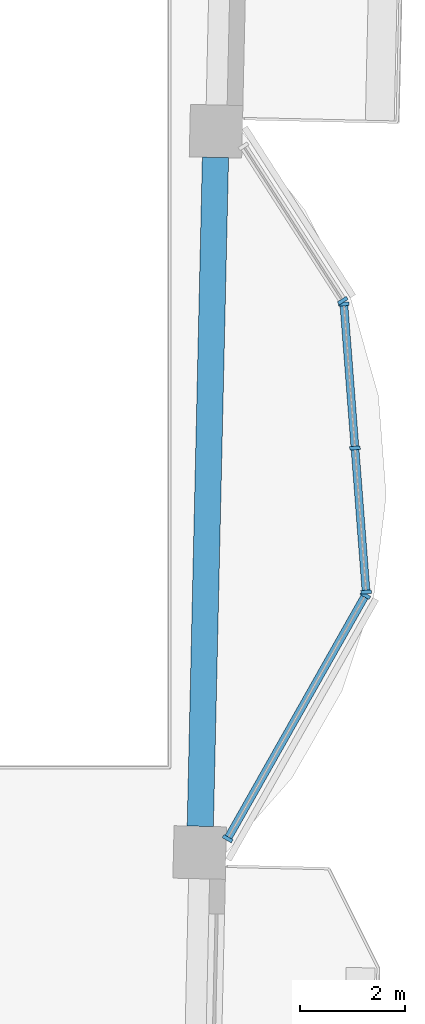
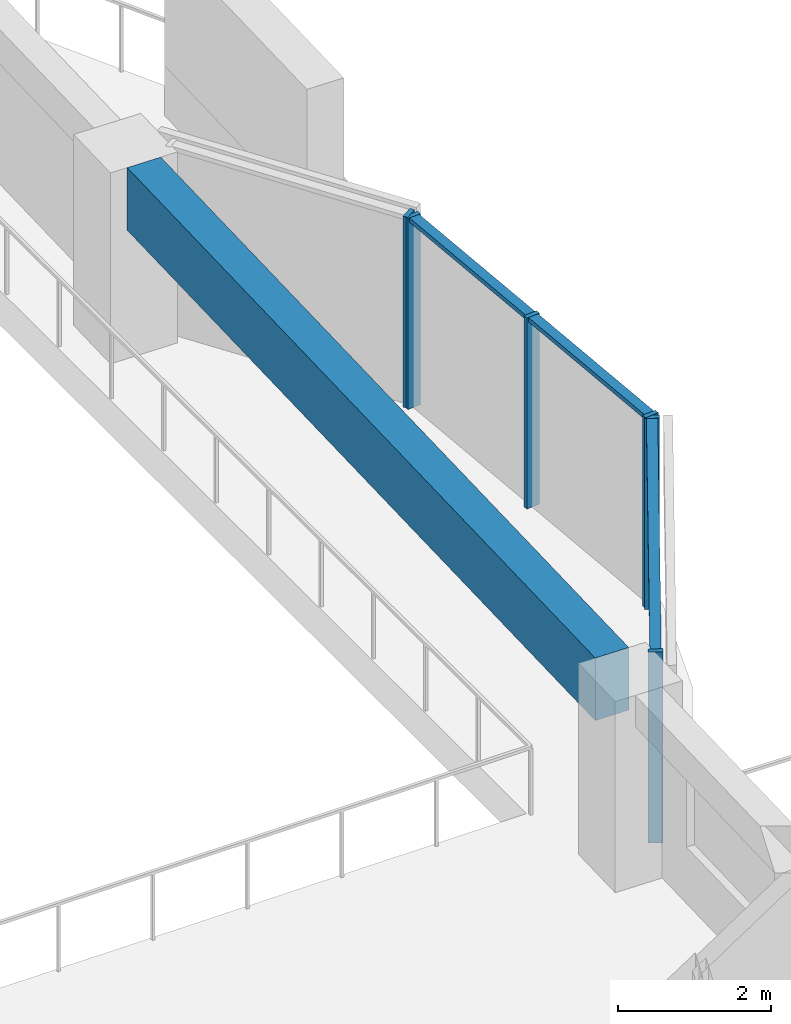
# One storey, part 2 of 17: 9 members, 1 beam, 3 elements without a shape of their own.
"""IFC4 building model written with IfcOpenShell, lengths in metres."""

import ifcopenshell
import ifcopenshell.guid

model = None  # the IFC model being written
_history = None  # IfcOwnerHistory: only IFC2X3 demands one
_inside = {}  # id of a spatial element -> (the spatial element, [elements in it])
_under = {}  # id of a project, library or spatial element -> (it, [spatial elements below it])
_declared = {}  # id of a project -> (the project, [libraries it declares])
_typed = {}  # id of a type object -> (the type object, [elements of that type])
_made_of = {}  # id of a material, layer set ... -> (it, [elements and type objects made of it])


def new_model(schema):
    """Start an empty IFC model of exactly this schema.

    Asked for "IFC4X3", IfcOpenShell would pick the latest addendum, in which some entities
    have other attributes; the version numbers below select the first issue.
    IFC2X3 requires an IfcOwnerHistory on every rooted entity: one is made here for all.
    """
    global model, _history
    if schema == "IFC4X3":
        model = ifcopenshell.file(schema_version=(4, 3, 0, 0))
    else:
        model = ifcopenshell.file(schema=schema)
    _inside.clear()
    _under.clear()
    _declared.clear()
    _typed.clear()
    _made_of.clear()
    _history = None
    if model.schema == "IFC2X3":
        org = make("IfcOrganization", Name="unknown")
        user = make(
            "IfcPersonAndOrganization",
            ThePerson=make("IfcPerson", FamilyName="unknown"),
            TheOrganization=org,
        )
        app = make(
            "IfcApplication",
            ApplicationDeveloper=org,
            Version="unknown",
            ApplicationFullName="unknown",
            ApplicationIdentifier="unknown",
        )
        _history = make(
            "IfcOwnerHistory",
            OwningUser=user,
            OwningApplication=app,
            ChangeAction="ADDED",
            CreationDate=0,
        )
    return model


def make(cls, **values):
    """One entity of the class cls with the attributes given. An attribute that is None is left unset."""
    return model.create_entity(
        cls, **{name: value for name, value in values.items() if value is not None}
    )


def rooted(cls, **values):
    """An entity with a GlobalId (a new one), such as an element, a storey or a relation."""
    return make(cls, GlobalId=ifcopenshell.guid.new(), OwnerHistory=_history, **values)


def si_unit(unit_type, name, prefix=None):
    """IfcSIUnit, for example si_unit("LENGTHUNIT", "METRE", prefix="MILLI")."""
    return make("IfcSIUnit", UnitType=unit_type, Prefix=prefix, Name=name)


def assignment(units):
    """IfcUnitAssignment: the units of a project."""
    return None if units is None else make("IfcUnitAssignment", Units=units)


def point(xyz):
    """IfcCartesianPoint."""
    return None if xyz is None else make("IfcCartesianPoint", Coordinates=xyz)


def direction(xyz):
    """IfcDirection."""
    return None if xyz is None else make("IfcDirection", DirectionRatios=xyz)


def frame(location, z_axis=None, x_axis=None):
    """IfcAxis2Placement3D, a coordinate frame: its origin and axes. An axis left out is left unset."""
    return make(
        "IfcAxis2Placement3D",
        Location=point(location),
        Axis=direction(z_axis),
        RefDirection=direction(x_axis),
    )


def frame_2d(location, x_axis=None):
    """IfcAxis2Placement2D, a coordinate frame in the plane: its origin and x axis."""
    return make(
        "IfcAxis2Placement2D", Location=point(location), RefDirection=direction(x_axis)
    )


def origin():
    """The frame at (0, 0, 0) with its axes left unset."""
    return frame((0.0, 0.0, 0.0))


def origin_2d():
    """The frame at (0, 0) in the plane with its x axis left unset."""
    return frame_2d((0.0, 0.0))


def place(relative_to, where):
    """IfcLocalPlacement: puts the frame where relative to a parent placement (None: the world)."""
    return make(
        "IfcLocalPlacement", PlacementRelTo=relative_to, RelativePlacement=where
    )


def context(
    kind, dimensions, precision=None, world=None, true_north=None, identifier=None
):
    """IfcGeometricRepresentationContext, for example the 3D "Model" context."""
    return make(
        "IfcGeometricRepresentationContext",
        ContextIdentifier=identifier,
        ContextType=kind,
        CoordinateSpaceDimension=dimensions,
        Precision=precision,
        WorldCoordinateSystem=world,
        TrueNorth=true_north,
    )


def subcontext(parent, identifier, kind, view, scale=None):
    """IfcGeometricRepresentationSubContext, for example "Body" below "Model"."""
    return make(
        "IfcGeometricRepresentationSubContext",
        ContextIdentifier=identifier,
        ContextType=kind,
        ParentContext=parent,
        TargetScale=scale,
        TargetView=view,
    )


def project(units=None, contexts=None):
    """IfcProject with its units and contexts."""
    return rooted(
        "IfcProject",
        Name="project",
        RepresentationContexts=contexts,
        UnitsInContext=assignment(units),
    )


def spatial(cls, under=None, at=None, **own):
    """A site, building, storey or space (cls), placed at a placement, below another one or the project."""
    s = rooted(cls, ObjectPlacement=at, **own)
    if under is not None:
        _under.setdefault(under.id(), (under, []))[1].append(s)
    return s


def profile(cls, at=None, kind="AREA", **sizes):
    """A parametric profile (cls). Its sizes go by their IFC names, for example OverallWidth=200.0."""
    return make(cls, ProfileType=kind, Position=at, **sizes)


def rectangle(**sizes):
    """IfcRectangleProfileDef."""
    return profile("IfcRectangleProfileDef", **sizes)


def extrude(swept, where, along, depth):
    """IfcExtrudedAreaSolid: the profile swept, set in the frame where, extruded along a direction by depth."""
    return make(
        "IfcExtrudedAreaSolid",
        SweptArea=swept,
        Position=where,
        ExtrudedDirection=direction(along),
        Depth=depth,
    )


def shape(context_of_items, identifier, shape_type, items):
    """IfcShapeRepresentation: the items that make up one representation, for example the "Body"."""
    return make(
        "IfcShapeRepresentation",
        ContextOfItems=context_of_items,
        RepresentationIdentifier=identifier,
        RepresentationType=shape_type,
        Items=items,
    )


def material(Name=None, Category=None):
    """IfcMaterial."""
    return make("IfcMaterial", Name=Name, Category=Category)


def material_profile(
    of_material, cross_section, Name=None, Category=None, Priority=None
):
    """IfcMaterialProfile: a cross section and its material."""
    return make(
        "IfcMaterialProfile",
        Name=Name,
        Material=of_material,
        Profile=cross_section,
        Priority=Priority,
        Category=Category,
    )


def profile_set(profiles, Name=None, composite=None):
    """IfcMaterialProfileSet."""
    return make(
        "IfcMaterialProfileSet",
        Name=Name,
        MaterialProfiles=profiles,
        CompositeProfile=composite,
    )


def made_of(thing, what):
    """Note that an element or type object is made of a material, layer set ...; save() writes the relation."""
    if what is not None:
        _made_of.setdefault(what.id(), (what, []))[1].append(thing)
    return thing


def type_object(cls, material=None, **own):
    """A type object (cls), such as IfcWallType, which elements share."""
    return made_of(rooted(cls, **own), material)


def element(
    cls,
    number,
    at=None,
    inside=None,
    cuts=None,
    type_object=None,
    material=None,
    context=None,
    identifier="Body",
    shape_type=None,
    held_by="IfcProductDefinitionShape",
    body=None,
    shapes=None,
    **own,
):
    """One element of the class cls, such as IfcWall. Its Tag is "e" and its number.

    at: its placement. inside: the storey or other place that contains it. cuts: it is an
    opening in that element (IfcRelVoidsElement). A single representation is given by context,
    identifier, shape_type and body (its items); several are given by shapes. held_by: the class
    of the entity that holds the representations. save() writes the other relations.
    """
    e = rooted(cls, Tag="e%d" % number, ObjectPlacement=at, **own)
    if body is not None:
        shapes = [shape(context, identifier, shape_type, body)]
    if shapes is not None:
        e.Representation = make(held_by, Representations=shapes)
    if inside is not None:
        _inside.setdefault(inside.id(), (inside, []))[1].append(e)
    if cuts is not None:
        rooted(
            "IfcRelVoidsElement", RelatingBuildingElement=cuts, RelatedOpeningElement=e
        )
    if type_object is not None:
        _typed.setdefault(type_object.id(), (type_object, []))[1].append(e)
    return made_of(e, material)


def aggregate(whole, parts):
    """IfcRelAggregates: a whole, such as a stair, and the parts it consists of."""
    return rooted("IfcRelAggregates", RelatingObject=whole, RelatedObjects=parts)


def save(model, path):
    """Write the relations noted so far, then the file.

    IfcRelAggregates (storeys below a building ...), IfcRelContainedInSpatialStructure (elements
    in a storey), IfcRelDefinesByType, IfcRelAssociatesMaterial and IfcRelDeclares: one each for
    every whole, place, type object, material and project.
    """
    for whole, parts in _under.values():
        aggregate(whole, parts)
    for where, things in _inside.values():
        rooted(
            "IfcRelContainedInSpatialStructure",
            RelatedElements=things,
            RelatingStructure=where,
        )
    for kind, things in _typed.values():
        rooted("IfcRelDefinesByType", RelatedObjects=things, RelatingType=kind)
    for what, things in _made_of.values():
        rooted("IfcRelAssociatesMaterial", RelatedObjects=things, RelatingMaterial=what)
    for by, libraries in _declared.values():
        rooted("IfcRelDeclares", RelatingContext=by, RelatedDefinitions=libraries)
    model.write(path)


model = new_model("IFC4")

# Units and contexts
model_context = context("Model", 3, precision=1e-05, world=origin(), true_north=direction((0.0, 1.0)))
body_context = subcontext(model_context, "Body", "Model", "MODEL_VIEW")
ifc_project = project(units=[si_unit("LENGTHUNIT", "METRE"), si_unit("AREAUNIT", "SQUARE_METRE"), si_unit("VOLUMEUNIT", "CUBIC_METRE"), si_unit("PLANEANGLEUNIT", "RADIAN"), si_unit("MASSUNIT", "GRAM", prefix="KILO")], contexts=[model_context])

# Site, building, storey
site_placement = place(None, origin())
site = spatial("IfcSite", under=ifc_project, at=site_placement, CompositionType="ELEMENT")
building_placement = place(site_placement, origin())
building = spatial("IfcBuilding", under=site, at=building_placement, Name="Mangrove Gate Tower", CompositionType="ELEMENT")
storey_placement = place(building_placement, frame((0.0, 0.0, 257.300048828125)))
storey = spatial("IfcBuildingStorey", under=building, at=storey_placement, Name="L65", CompositionType="ELEMENT", Elevation=257.300048828125)

# Curtain wall, members
ifc_material_1 = material(Name="Aluminium and glass curtain wall", Category="aluminium")
curtain_wall_type = type_object("IfcCurtainWallType", Name="Atrium garden-court glazing wall", PredefinedType="NOTDEFINED", material=ifc_material_1)
curtain_wall_1_placement = place(storey_placement, origin())
curtain_wall_1 = element("IfcCurtainWall", 1, at=curtain_wall_1_placement, inside=storey, type_object=curtain_wall_type, Name="Atrium garden-court glazing E1f1", PredefinedType="NOTDEFINED")
ifc_material_2 = material(Name="Aluminium alloy 6063-T6", Category="aluminium")
ifc_material_profile_1 = material_profile(ifc_material_2, rectangle(XDim=0.070068359375, YDim=0.199951171875, at=origin_2d()))
ifc_profile_set_1 = profile_set([ifc_material_profile_1], Name="Aluminium alloy 6063-T6")
member_type_1 = type_object("IfcMemberType", Name="Atrium garden-court glazing mullion 70x200", PredefinedType="MULLION", material=ifc_profile_set_1)
member_1_placement = place(storey_placement, frame((29.805908203125, -8.890869140625, 0.0), z_axis=(0.0, 0.0, 1.0), x_axis=(0.492567972087, 0.870273975754, 0.0)))
member_1 = element("IfcMember", 2, at=member_1_placement, type_object=member_type_1, Name="CWA mullion 1", PredefinedType="MULLION", context=body_context, shape_type="SweptSolid", body=[
    extrude(rectangle(XDim=0.070068359375, YDim=0.199951171875, at=origin_2d()), origin(), (0.0, 0.0, 1.0), 3.050048828125),
])
member_2_placement = place(storey_placement, frame((32.429931640625, -4.25439453125, 0.0), z_axis=(0.0, 0.0, 1.0), x_axis=(0.492567972087, 0.870273975754, 0.0)))
member_2 = element("IfcMember", 3, at=member_2_placement, type_object=member_type_1, Name="CWA mullion 2", PredefinedType="MULLION", context=body_context, shape_type="SweptSolid", body=[
    extrude(rectangle(XDim=0.070068359375, YDim=0.199951171875, at=origin_2d()), origin(), (0.0, 0.0, 1.0), 3.050048828125),
])

curtain_wall_2_placement = place(storey_placement, origin())
curtain_wall_2 = element("IfcCurtainWall", 4, at=curtain_wall_2_placement, inside=storey, type_object=curtain_wall_type, Name="Atrium garden-court glazing E1f2", PredefinedType="NOTDEFINED")
member_3_placement = place(storey_placement, frame((32.444580078125, -4.18896484375, 0.0), z_axis=(0.0, 0.0, 1.0), x_axis=(-0.077023348403, 0.997029289339, 0.0)))
member_3 = element("IfcMember", 5, at=member_3_placement, type_object=member_type_1, Name="CWA mullion 1", PredefinedType="MULLION", context=body_context, shape_type="SweptSolid", body=[
    extrude(rectangle(XDim=0.070068359375, YDim=0.199951171875, at=origin_2d()), origin(), (0.0, 0.0, 1.0), 3.050048828125),
])
member_4_placement = place(storey_placement, frame((32.232666015625, -1.4453125, 0.0), z_axis=(0.0, 0.0, 1.0), x_axis=(-0.077023348403, 0.997029289339, 0.0)))
member_4 = element("IfcMember", 6, at=member_4_placement, type_object=member_type_1, Name="CWA mullion 2", PredefinedType="MULLION", context=body_context, shape_type="SweptSolid", body=[
    extrude(rectangle(XDim=0.070068359375, YDim=0.199951171875, at=origin_2d()), origin(), (0.0, 0.0, 1.0), 3.050048828125),
])
member_5_placement = place(storey_placement, frame((32.020751953125, 1.298095703125, 0.0), z_axis=(0.0, 0.0, 1.0), x_axis=(-0.077023348403, 0.997029289339, 0.0)))
member_5 = element("IfcMember", 7, at=member_5_placement, type_object=member_type_1, Name="CWA mullion 3", PredefinedType="MULLION", context=body_context, shape_type="SweptSolid", body=[
    extrude(rectangle(XDim=0.070068359375, YDim=0.199951171875, at=origin_2d()), origin(), (0.0, 0.0, 1.0), 3.050048828125),
])

# Curtain wall, member
curtain_wall_3_placement = place(storey_placement, origin())
curtain_wall_3 = element("IfcCurtainWall", 8, at=curtain_wall_3_placement, inside=storey, type_object=curtain_wall_type, Name="Atrium garden-court glazing E1f3", PredefinedType="NOTDEFINED")
member_6_placement = place(storey_placement, frame((31.9990234375, 1.362548828125, 0.0), z_axis=(0.0, 0.0, 1.0), x_axis=(-0.540498107045, 0.841345230141, 0.0)))
member_6 = element("IfcMember", 9, at=member_6_placement, type_object=member_type_1, Name="CWA mullion 1", PredefinedType="MULLION", context=body_context, shape_type="SweptSolid", body=[
    extrude(rectangle(XDim=0.070068359375, YDim=0.199951171875, at=origin_2d()), origin(), (0.0, 0.0, 1.0), 3.050048828125),
])
aggregate(curtain_wall_3, [member_6])

# Member
ifc_material_3 = material(Name="Aluminium alloy 6063-T6", Category="aluminium")
ifc_material_profile_2 = material_profile(ifc_material_3, rectangle(XDim=0.070068359375, YDim=0.14990234375, at=origin_2d()))
ifc_profile_set_2 = profile_set([ifc_material_profile_2], Name="Aluminium alloy 6063-T6")
member_type_2 = type_object("IfcMemberType", Name="Atrium garden-court glazing transom 70x150", PredefinedType="USERDEFINED", material=ifc_profile_set_2)
member_7_placement = place(storey_placement, frame((29.822998046875, -8.8603515625, 3.014892578125), z_axis=(0.492594238536, 0.870259108635, 0.0), x_axis=(0.0, 0.0, 1.0)))
member_7 = element("IfcMember", 10, at=member_7_placement, type_object=member_type_2, Name="CWA transom 1.2", ObjectType="TRANSOM", PredefinedType="USERDEFINED", context=body_context, shape_type="SweptSolid", body=[
    extrude(rectangle(XDim=0.070068359375, YDim=0.14990234375, at=origin_2d()), origin(), (0.0, 0.0, 1.0), 5.257568359375),
])

aggregate(curtain_wall_1, [member_1, member_2, member_7])

member_8_placement = place(storey_placement, frame((32.44189453125, -4.154052734375, 3.014892578125), z_axis=(-0.07701672858, 0.997029800718, 0.0), x_axis=(0.0, 0.0, 1.0)))
member_8 = element("IfcMember", 11, at=member_8_placement, type_object=member_type_2, Name="CWA transom 1.2", ObjectType="TRANSOM", PredefinedType="USERDEFINED", context=body_context, shape_type="SweptSolid", body=[
    extrude(rectangle(XDim=0.070068359375, YDim=0.14990234375, at=origin_2d()), origin(), (0.0, 0.0, 1.0), 2.681884765625),
])

member_9_placement = place(storey_placement, frame((32.22998046875, -1.41064453125, 3.014892578125), z_axis=(-0.07701672858, 0.997029800718, 0.0), x_axis=(0.0, 0.0, 1.0)))
member_9 = element("IfcMember", 12, at=member_9_placement, type_object=member_type_2, Name="CWA transom 2.2", ObjectType="TRANSOM", PredefinedType="USERDEFINED", context=body_context, shape_type="SweptSolid", body=[
    extrude(rectangle(XDim=0.070068359375, YDim=0.14990234375, at=origin_2d()), origin(), (0.0, 0.0, 1.0), 2.681884765625),
])

aggregate(curtain_wall_2, [member_3, member_4, member_5, member_8, member_9])

# Beam
ifc_material_4 = material(Name="Concrete C50/60", Category="concrete")
ifc_material_profile_3 = material_profile(ifc_material_4, rectangle(XDim=0.5, YDim=1.0, at=origin_2d()))
ifc_profile_set_3 = profile_set([ifc_material_profile_3], Name="Concrete C50/60")
beam_type = type_object("IfcBeamType", Name="Edge beam RC 500x1000 C50/60", PredefinedType="BEAM", material=ifc_profile_set_3)
beam_placement = place(storey_placement, frame((29.284423828125, -8.65478515625, 2.550048828125), z_axis=(0.022689654485, 0.999742556651, 0.0), x_axis=(-0.999742556651, 0.022689654485, 0.0)))
element("IfcBeam", 13, at=beam_placement, inside=storey, type_object=beam_type, Name="Edge beam L65 15", PredefinedType="BEAM", context=body_context, shape_type="SweptSolid", body=[
    extrude(rectangle(XDim=0.5, YDim=1.0, at=origin_2d()), origin(), (0.0, 0.0, 1.0), 12.75048828125),
])

save(model, "model.ifc")
